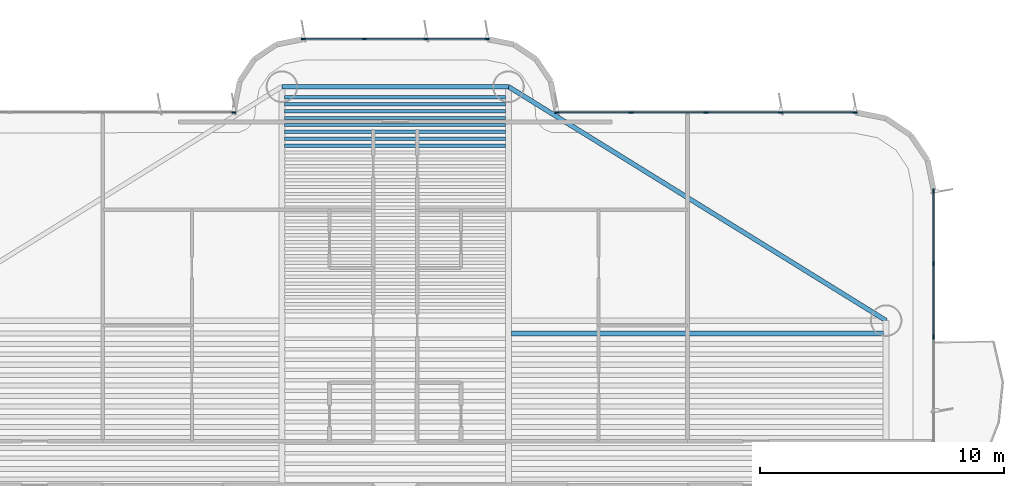
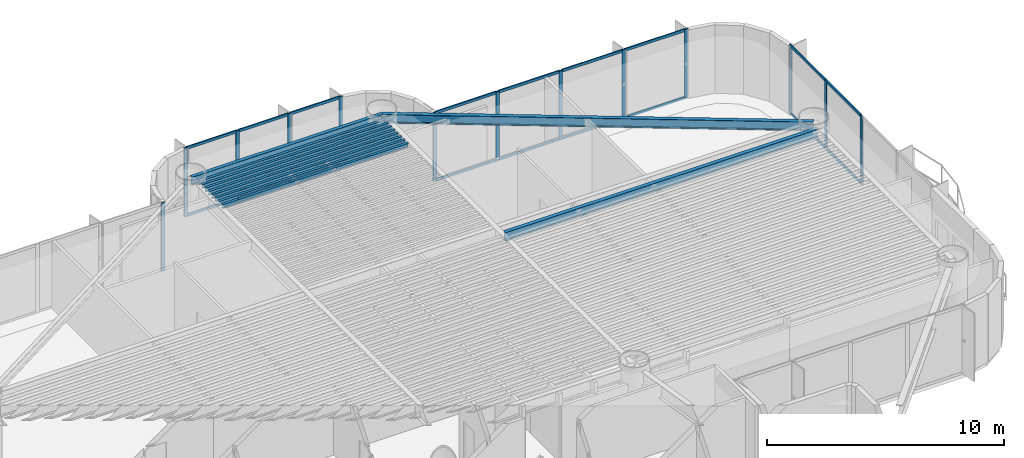
# One storey, part 7 of 17: 31 members, 11 beams, 4 elements without a shape of their own.
"""IFC4 building model written with IfcOpenShell, lengths in metres."""

from ifc_helpers import new_model, si_unit, direction, frame, origin, origin_2d, place, context, subcontext, project, spatial, rectangle, i_section, extrude, source, transform, mapped, material, layer, layer_set, material_profile, profile_set, type_object, element, aggregate, save


model = new_model("IFC4")

# Units and contexts
model_context = context("Model", 3, precision=1e-05, world=origin(), true_north=direction((0.0, 1.0)))
body_context = subcontext(model_context, "Body", "Model", "MODEL_VIEW")
ifc_project = project(units=[si_unit("LENGTHUNIT", "METRE"), si_unit("AREAUNIT", "SQUARE_METRE"), si_unit("VOLUMEUNIT", "CUBIC_METRE"), si_unit("PLANEANGLEUNIT", "RADIAN"), si_unit("MASSUNIT", "GRAM", prefix="KILO")], contexts=[model_context])

# Site, building, storey
site_placement = place(None, origin())
site = spatial("IfcSite", under=ifc_project, at=site_placement, CompositionType="ELEMENT")
building_placement = place(site_placement, origin())
building = spatial("IfcBuilding", under=site, at=building_placement, Name="Brelvock Crest Care Tower", CompositionType="ELEMENT")
storey_placement = place(building_placement, frame((0.0, 0.0, 93.60009765625)))
storey = spatial("IfcBuildingStorey", under=building, at=storey_placement, Name="L23", CompositionType="ELEMENT", Elevation=93.60009765625)

# Beams
ifc_material_1 = material(Name="Steel Grade 350", Category="steel")
ifc_material_profile_1 = material_profile(ifc_material_1, i_section(OverallWidth=0.177978515625, OverallDepth=0.406005859375, WebThickness=0.0078125, FlangeThickness=0.0126953125, FilletRadius=0.011474609375, at=origin_2d()), Name="410UB59.7")
ifc_profile_set_1 = profile_set([ifc_material_profile_1], Name="Steel Grade 350")
beam_type_1 = type_object("IfcBeamType", Name="BM-SP1", PredefinedType="SPANDREL", material=ifc_profile_set_1)
shared_shape_1 = source(origin(), body_context, "Body", "SweptSolid", [
    extrude(i_section(OverallWidth=0.177978515625, OverallDepth=0.406005859375, WebThickness=0.0078125, FlangeThickness=0.0126953125, FilletRadius=0.011474609375, at=origin_2d()), origin(), (0.0, 0.0, 1.0), 9.2998046875),
])
beam_1_placement = place(storey_placement, frame((31.35009765625, 48.449951171875, 3.326904296875), z_axis=(1.0, 0.0, 0.0), x_axis=(0.0, 1.0, 0.0)))
element("IfcBeam", 1, at=beam_1_placement, inside=storey, type_object=beam_type_1, Name="BM-TWR-L23-08", PredefinedType="SPANDREL", context=body_context, shape_type="MappedRepresentation", body=[
    mapped(shared_shape_1, transform((0.0, 0.0, 0.0), x_axis=(1.0, 0.0, 0.0), y_axis=(0.0, 1.0, 0.0), z_axis=(0.0, 0.0, 1.0), scale=1.0)),
])
ifc_material_profile_2 = material_profile(ifc_material_1, i_section(OverallWidth=0.134033203125, OverallDepth=0.20703125, WebThickness=0.00634765625, FlangeThickness=0.009521484375, FilletRadius=0.0087890625, at=origin_2d()), Name="200UB29.8")
ifc_profile_set_2 = profile_set([ifc_material_profile_2], Name="Steel Grade 350")
beam_type_2 = type_object("IfcBeamType", Name="BM-J4", PredefinedType="JOIST", material=ifc_profile_set_2)
shared_shape_2 = source(origin(), body_context, "Body", "SweptSolid", [
    extrude(i_section(OverallWidth=0.134033203125, OverallDepth=0.20703125, WebThickness=0.00634765625, FlangeThickness=0.009521484375, FilletRadius=0.0087890625, at=origin_2d()), origin(), (0.0, 0.0, 1.0), 9.06982421875),
])
for number, where, z_axis, x_axis, name in (
    (2, (31.465087890625, 46.03076171875, 3.426513671875), (1.0, 0.0, 0.0), (0.0, 1.0, 0.0), "BM-JN-L23-25"),
    (3, (31.465087890625, 46.31396484375, 3.426513671875), (1.0, 0.0, 0.0), (0.0, 1.0, 0.0), "BM-JN-L23-26"),
    (4, (31.465087890625, 46.59716796875, 3.426513671875), (1.0, 0.0, 0.0), (0.0, 1.0, 0.0), "BM-JN-L23-27"),
    (5, (31.465087890625, 46.88037109375, 3.426513671875), (1.0, 0.0, 0.0), (0.0, 1.0, 0.0), "BM-JN-L23-28"),
    (6, (31.465087890625, 47.16357421875, 3.426513671875), (1.0, 0.0, 0.0), (0.0, 1.0, 0.0), "BM-JN-L23-29"),
    (7, (31.465087890625, 47.44677734375, 3.426513671875), (1.0, 0.0, 0.0), (0.0, 1.0, 0.0), "BM-JN-L23-30"),
    (8, (31.465087890625, 47.72998046875, 3.426513671875), (1.0, 0.0, 0.0), (0.0, 1.0, 0.0), "BM-JN-L23-31"),
    (9, (31.465087890625, 48.01318359375, 3.426513671875), (1.0, 0.0, 0.0), (0.0, 1.0, 0.0), "BM-JN-L23-32"),
):
    element("IfcBeam", number, at=place(storey_placement, frame(where, z_axis=z_axis, x_axis=x_axis)), inside=storey, type_object=beam_type_2, Name=name, PredefinedType="JOIST", context=body_context, shape_type="MappedRepresentation", body=[
        mapped(shared_shape_2, transform((0.0, 0.0, 0.0), x_axis=(1.0, 0.0, 0.0), y_axis=(0.0, 1.0, 0.0), z_axis=(0.0, 0.0, 1.0), scale=1.0)),
    ])
ifc_material_profile_3 = material_profile(ifc_material_1, i_section(OverallWidth=0.19091796875, OverallDepth=0.4599609375, WebThickness=0.010009765625, FlangeThickness=0.01611328125, FilletRadius=0.011474609375, at=origin_2d()), Name="460UB82.1")
ifc_profile_set_3 = profile_set([ifc_material_profile_3], Name="Steel Grade 350")
beam_type_3 = type_object("IfcBeamType", Name="BM-G3", PredefinedType="BEAM", material=ifc_profile_set_3)
shared_shape_3 = source(origin(), body_context, "Body", "SweptSolid", [
    extrude(i_section(OverallWidth=0.19091796875, OverallDepth=0.4599609375, WebThickness=0.010009765625, FlangeThickness=0.01611328125, FilletRadius=0.011474609375, at=origin_2d()), origin(), (0.0, 0.0, 1.0), 15.27001953125),
])
beam_2_placement = place(storey_placement, frame((40.764892578125, 38.317626953125, 3.2998046875), z_axis=(1.0, 0.0, 0.0), x_axis=(0.0, 1.0, 0.0)))
element("IfcBeam", 10, at=beam_2_placement, inside=storey, type_object=beam_type_3, Name="BM-JE-L23-26", PredefinedType="BEAM", context=body_context, shape_type="MappedRepresentation", body=[
    mapped(shared_shape_3, transform((0.0, 0.0, 0.0), x_axis=(1.0, 0.0, 0.0), y_axis=(0.0, 1.0, 0.0), z_axis=(0.0, 0.0, 1.0), scale=1.0)),
])
ifc_material_profile_4 = material_profile(ifc_material_1, i_section(OverallWidth=0.19091796875, OverallDepth=0.4599609375, WebThickness=0.010009765625, FlangeThickness=0.01611328125, FilletRadius=0.011474609375, at=origin_2d()), Name="460UB82.1")
ifc_profile_set_4 = profile_set([ifc_material_profile_4], Name="Steel Grade 350")
beam_type_4 = type_object("IfcBeamType", Name="BM-SP2", PredefinedType="SPANDREL", material=ifc_profile_set_4)
shared_shape_4 = source(origin(), body_context, "Body", "SweptSolid", [
    extrude(i_section(OverallWidth=0.19091796875, OverallDepth=0.4599609375, WebThickness=0.010009765625, FlangeThickness=0.01611328125, FilletRadius=0.011474609375, at=origin_2d()), origin(), (0.0, 0.0, 1.0), 18.23193359375),
])
beam_3_placement = place(storey_placement, frame((40.64990234375, 48.449951171875, 3.2998046875), z_axis=(0.85015183248, -0.526537616635, 0.0), x_axis=(0.526537616635, 0.85015183248, 0.0)))
element("IfcBeam", 11, at=beam_3_placement, inside=storey, type_object=beam_type_4, Name="BM-TWR-L23-07", PredefinedType="SPANDREL", context=body_context, shape_type="MappedRepresentation", body=[
    mapped(shared_shape_4, transform((0.0, 0.0, 0.0), x_axis=(1.0, 0.0, 0.0), y_axis=(0.0, 1.0, 0.0), z_axis=(0.0, 0.0, 1.0), scale=1.0)),
])

# Curtain wall, members
ifc_material_2 = material(Name="Dark Glass Double Glazed Low-E", Category="glass")
ifc_layer = layer(ifc_material_2, 0.2099609375, Name="CWS-3")
ifc_layer_set = layer_set([ifc_layer], Name="Dark Glass Double Glazed Low-E")
curtain_wall_type = type_object("IfcCurtainWallType", Name="CWS-3", PredefinedType="NOTDEFINED", material=ifc_layer_set)
curtain_wall_1_placement = place(storey_placement, origin())
curtain_wall_1 = element("IfcCurtainWall", 12, at=curtain_wall_1_placement, inside=storey, type_object=curtain_wall_type, Name="L23 Curtain Wall E39A", PredefinedType="NOTDEFINED")
ifc_material_3 = material(Name="Aluminium 6063-T6", Category="aluminium")
ifc_material_profile_5 = material_profile(ifc_material_3, rectangle(XDim=0.06005859375, YDim=0.139892578125, at=origin_2d()), Name="ALU60x140")
ifc_profile_set_5 = profile_set([ifc_material_profile_5], Name="Aluminium 6063-T6")
member_type_1 = type_object("IfcMemberType", Name="CWT-2", PredefinedType="USERDEFINED", material=ifc_profile_set_5)
shared_shape_5 = source(origin(), body_context, "Body", "SweptSolid", [
    extrude(rectangle(XDim=0.06005859375, YDim=0.139892578125, at=origin_2d()), origin(), (0.0, 0.0, 1.0), 2.952392578125),
])
member_1_placement = place(storey_placement, frame((58.10009765625, 41.157470703125, 0.02978515625), z_axis=(0.0, -1.0, 0.0), x_axis=(1.0, 0.0, 0.0)))
member_1 = element("IfcMember", 13, at=member_1_placement, type_object=member_type_1, Name="CW-3 transom 2.1", ObjectType="TRANSOM", PredefinedType="USERDEFINED", context=body_context, shape_type="MappedRepresentation", body=[
    mapped(shared_shape_5, transform((0.0, 0.0, 0.0), x_axis=(1.0, 0.0, 0.0), y_axis=(0.0, 1.0, 0.0), z_axis=(0.0, 0.0, 1.0), scale=1.0)),
])
member_2_placement = place(storey_placement, frame((58.10009765625, 41.157470703125, 3.5), z_axis=(0.0, -1.0, 0.0), x_axis=(1.0, 0.0, 0.0)))
member_2 = element("IfcMember", 14, at=member_2_placement, type_object=member_type_1, Name="CW-3 transom 2.2", ObjectType="TRANSOM", PredefinedType="USERDEFINED", context=body_context, shape_type="MappedRepresentation", body=[
    mapped(shared_shape_5, transform((0.0, 0.0, 0.0), x_axis=(1.0, 0.0, 0.0), y_axis=(0.0, 1.0, 0.0), z_axis=(0.0, 0.0, 1.0), scale=1.0)),
])
shared_shape_6 = source(origin(), body_context, "Body", "SweptSolid", [
    extrude(rectangle(XDim=0.06005859375, YDim=0.139892578125, at=origin_2d()), origin(), (0.0, 0.0, 1.0), 2.92236328125),
])
member_3_placement = place(storey_placement, frame((58.10009765625, 44.139892578125, 0.02978515625), z_axis=(0.0, -1.0, 0.0), x_axis=(1.0, 0.0, 0.0)))
member_3 = element("IfcMember", 15, at=member_3_placement, type_object=member_type_1, Name="CW-3 transom 1.1", ObjectType="TRANSOM", PredefinedType="USERDEFINED", context=body_context, shape_type="MappedRepresentation", body=[
    mapped(shared_shape_6, transform((0.0, 0.0, 0.0), x_axis=(1.0, 0.0, 0.0), y_axis=(0.0, 1.0, 0.0), z_axis=(0.0, 0.0, 1.0), scale=1.0)),
])
member_4_placement = place(storey_placement, frame((58.10009765625, 44.139892578125, 3.5), z_axis=(0.0, -1.0, 0.0), x_axis=(1.0, 0.0, 0.0)))
member_4 = element("IfcMember", 16, at=member_4_placement, type_object=member_type_1, Name="CW-3 transom 1.2", ObjectType="TRANSOM", PredefinedType="USERDEFINED", context=body_context, shape_type="MappedRepresentation", body=[
    mapped(shared_shape_6, transform((0.0, 0.0, 0.0), x_axis=(1.0, 0.0, 0.0), y_axis=(0.0, 1.0, 0.0), z_axis=(0.0, 0.0, 1.0), scale=1.0)),
])

curtain_wall_2_placement = place(storey_placement, origin())
curtain_wall_2 = element("IfcCurtainWall", 17, at=curtain_wall_2_placement, inside=storey, type_object=curtain_wall_type, Name="L23 Curtain Wall E34", PredefinedType="NOTDEFINED")
shared_shape_7 = source(origin(), body_context, "Body", "SweptSolid", [
    extrude(rectangle(XDim=0.06005859375, YDim=0.139892578125, at=origin_2d()), origin(), (0.0, 0.0, 1.0), 2.985107421875),
])
member_5_placement = place(storey_placement, frame((42.659912109375, 47.39990234375, 0.02978515625), z_axis=(1.0, 0.0, 0.0), x_axis=(0.0, 1.0, 0.0)))
member_5 = element("IfcMember", 18, at=member_5_placement, type_object=member_type_1, Name="CW-3 transom 1.1", ObjectType="TRANSOM", PredefinedType="USERDEFINED", context=body_context, shape_type="MappedRepresentation", body=[
    mapped(shared_shape_7, transform((0.0, 0.0, 0.0), x_axis=(1.0, 0.0, 0.0), y_axis=(0.0, 1.0, 0.0), z_axis=(0.0, 0.0, 1.0), scale=1.0)),
])
member_6_placement = place(storey_placement, frame((42.659912109375, 47.39990234375, 3.5), z_axis=(1.0, 0.0, 0.0), x_axis=(0.0, 1.0, 0.0)))
member_6 = element("IfcMember", 19, at=member_6_placement, type_object=member_type_1, Name="CW-3 transom 1.2", ObjectType="TRANSOM", PredefinedType="USERDEFINED", context=body_context, shape_type="MappedRepresentation", body=[
    mapped(shared_shape_7, transform((0.0, 0.0, 0.0), x_axis=(1.0, 0.0, 0.0), y_axis=(0.0, 1.0, 0.0), z_axis=(0.0, 0.0, 1.0), scale=1.0)),
])
member_7_placement = place(storey_placement, frame((51.85498046875, 47.39990234375, 0.02978515625), z_axis=(1.0, 0.0, 0.0), x_axis=(0.0, 1.0, 0.0)))
member_7 = element("IfcMember", 20, at=member_7_placement, type_object=member_type_1, Name="CW-3 transom 4.1", ObjectType="TRANSOM", PredefinedType="USERDEFINED", context=body_context, shape_type="MappedRepresentation", body=[
    mapped(shared_shape_7, transform((0.0, 0.0, 0.0), x_axis=(1.0, 0.0, 0.0), y_axis=(0.0, 1.0, 0.0), z_axis=(0.0, 0.0, 1.0), scale=1.0)),
])
member_8_placement = place(storey_placement, frame((51.85498046875, 47.39990234375, 3.5), z_axis=(1.0, 0.0, 0.0), x_axis=(0.0, 1.0, 0.0)))
member_8 = element("IfcMember", 21, at=member_8_placement, type_object=member_type_1, Name="CW-3 transom 4.2", ObjectType="TRANSOM", PredefinedType="USERDEFINED", context=body_context, shape_type="MappedRepresentation", body=[
    mapped(shared_shape_7, transform((0.0, 0.0, 0.0), x_axis=(1.0, 0.0, 0.0), y_axis=(0.0, 1.0, 0.0), z_axis=(0.0, 0.0, 1.0), scale=1.0)),
])
shared_shape_8 = source(origin(), body_context, "Body", "SweptSolid", [
    extrude(rectangle(XDim=0.06005859375, YDim=0.139892578125, at=origin_2d()), origin(), (0.0, 0.0, 1.0), 3.014892578125),
])
member_9_placement = place(storey_placement, frame((45.705078125, 47.39990234375, 0.02978515625), z_axis=(1.0, 0.0, 0.0), x_axis=(0.0, 1.0, 0.0)))
member_9 = element("IfcMember", 22, at=member_9_placement, type_object=member_type_1, Name="CW-3 transom 2.1", ObjectType="TRANSOM", PredefinedType="USERDEFINED", context=body_context, shape_type="MappedRepresentation", body=[
    mapped(shared_shape_8, transform((0.0, 0.0, 0.0), x_axis=(1.0, 0.0, 0.0), y_axis=(0.0, 1.0, 0.0), z_axis=(0.0, 0.0, 1.0), scale=1.0)),
])
member_10_placement = place(storey_placement, frame((45.705078125, 47.39990234375, 3.5), z_axis=(1.0, 0.0, 0.0), x_axis=(0.0, 1.0, 0.0)))
member_10 = element("IfcMember", 23, at=member_10_placement, type_object=member_type_1, Name="CW-3 transom 2.2", ObjectType="TRANSOM", PredefinedType="USERDEFINED", context=body_context, shape_type="MappedRepresentation", body=[
    mapped(shared_shape_8, transform((0.0, 0.0, 0.0), x_axis=(1.0, 0.0, 0.0), y_axis=(0.0, 1.0, 0.0), z_axis=(0.0, 0.0, 1.0), scale=1.0)),
])
member_11_placement = place(storey_placement, frame((48.780029296875, 47.39990234375, 0.02978515625), z_axis=(1.0, 0.0, 0.0), x_axis=(0.0, 1.0, 0.0)))
member_11 = element("IfcMember", 24, at=member_11_placement, type_object=member_type_1, Name="CW-3 transom 3.1", ObjectType="TRANSOM", PredefinedType="USERDEFINED", context=body_context, shape_type="MappedRepresentation", body=[
    mapped(shared_shape_8, transform((0.0, 0.0, 0.0), x_axis=(1.0, 0.0, 0.0), y_axis=(0.0, 1.0, 0.0), z_axis=(0.0, 0.0, 1.0), scale=1.0)),
])
member_12_placement = place(storey_placement, frame((48.780029296875, 47.39990234375, 3.5), z_axis=(1.0, 0.0, 0.0), x_axis=(0.0, 1.0, 0.0)))
member_12 = element("IfcMember", 25, at=member_12_placement, type_object=member_type_1, Name="CW-3 transom 3.2", ObjectType="TRANSOM", PredefinedType="USERDEFINED", context=body_context, shape_type="MappedRepresentation", body=[
    mapped(shared_shape_8, transform((0.0, 0.0, 0.0), x_axis=(1.0, 0.0, 0.0), y_axis=(0.0, 1.0, 0.0), z_axis=(0.0, 0.0, 1.0), scale=1.0)),
])

curtain_wall_3_placement = place(storey_placement, origin())
curtain_wall_3 = element("IfcCurtainWall", 26, at=curtain_wall_3_placement, inside=storey, type_object=curtain_wall_type, Name="L23 Curtain Wall E28", PredefinedType="NOTDEFINED")
shared_shape_9 = source(origin(), body_context, "Body", "SweptSolid", [
    extrude(rectangle(XDim=0.06005859375, YDim=0.139892578125, at=origin_2d()), origin(), (0.0, 0.0, 1.0), 2.443359375),
])
member_13_placement = place(storey_placement, frame((32.260009765625, 50.39990234375, 0.02978515625), z_axis=(1.0, 0.0, 0.0), x_axis=(0.0, 1.0, 0.0)))
member_13 = element("IfcMember", 27, at=member_13_placement, type_object=member_type_1, Name="CW-3 transom 1.1", ObjectType="TRANSOM", PredefinedType="USERDEFINED", context=body_context, shape_type="MappedRepresentation", body=[
    mapped(shared_shape_9, transform((0.0, 0.0, 0.0), x_axis=(1.0, 0.0, 0.0), y_axis=(0.0, 1.0, 0.0), z_axis=(0.0, 0.0, 1.0), scale=1.0)),
])
member_14_placement = place(storey_placement, frame((32.260009765625, 50.39990234375, 3.5), z_axis=(1.0, 0.0, 0.0), x_axis=(0.0, 1.0, 0.0)))
member_14 = element("IfcMember", 28, at=member_14_placement, type_object=member_type_1, Name="CW-3 transom 1.2", ObjectType="TRANSOM", PredefinedType="USERDEFINED", context=body_context, shape_type="MappedRepresentation", body=[
    mapped(shared_shape_9, transform((0.0, 0.0, 0.0), x_axis=(1.0, 0.0, 0.0), y_axis=(0.0, 1.0, 0.0), z_axis=(0.0, 0.0, 1.0), scale=1.0)),
])
member_15_placement = place(storey_placement, frame((37.296630859375, 50.39990234375, 0.02978515625), z_axis=(1.0, 0.0, 0.0), x_axis=(0.0, 1.0, 0.0)))
member_15 = element("IfcMember", 29, at=member_15_placement, type_object=member_type_1, Name="CW-3 transom 3.1", ObjectType="TRANSOM", PredefinedType="USERDEFINED", context=body_context, shape_type="MappedRepresentation", body=[
    mapped(shared_shape_9, transform((0.0, 0.0, 0.0), x_axis=(1.0, 0.0, 0.0), y_axis=(0.0, 1.0, 0.0), z_axis=(0.0, 0.0, 1.0), scale=1.0)),
])
member_16_placement = place(storey_placement, frame((37.296630859375, 50.39990234375, 3.5), z_axis=(1.0, 0.0, 0.0), x_axis=(0.0, 1.0, 0.0)))
member_16 = element("IfcMember", 30, at=member_16_placement, type_object=member_type_1, Name="CW-3 transom 3.2", ObjectType="TRANSOM", PredefinedType="USERDEFINED", context=body_context, shape_type="MappedRepresentation", body=[
    mapped(shared_shape_9, transform((0.0, 0.0, 0.0), x_axis=(1.0, 0.0, 0.0), y_axis=(0.0, 1.0, 0.0), z_axis=(0.0, 0.0, 1.0), scale=1.0)),
])
shared_shape_10 = source(origin(), body_context, "Body", "SweptSolid", [
    extrude(rectangle(XDim=0.06005859375, YDim=0.139892578125, at=origin_2d()), origin(), (0.0, 0.0, 1.0), 2.47314453125),
])
member_17_placement = place(storey_placement, frame((34.763427734375, 50.39990234375, 0.02978515625), z_axis=(1.0, 0.0, 0.0), x_axis=(0.0, 1.0, 0.0)))
member_17 = element("IfcMember", 31, at=member_17_placement, type_object=member_type_1, Name="CW-3 transom 2.1", ObjectType="TRANSOM", PredefinedType="USERDEFINED", context=body_context, shape_type="MappedRepresentation", body=[
    mapped(shared_shape_10, transform((0.0, 0.0, 0.0), x_axis=(1.0, 0.0, 0.0), y_axis=(0.0, 1.0, 0.0), z_axis=(0.0, 0.0, 1.0), scale=1.0)),
])
member_18_placement = place(storey_placement, frame((34.763427734375, 50.39990234375, 3.5), z_axis=(1.0, 0.0, 0.0), x_axis=(0.0, 1.0, 0.0)))
member_18 = element("IfcMember", 32, at=member_18_placement, type_object=member_type_1, Name="CW-3 transom 2.2", ObjectType="TRANSOM", PredefinedType="USERDEFINED", context=body_context, shape_type="MappedRepresentation", body=[
    mapped(shared_shape_10, transform((0.0, 0.0, 0.0), x_axis=(1.0, 0.0, 0.0), y_axis=(0.0, 1.0, 0.0), z_axis=(0.0, 0.0, 1.0), scale=1.0)),
])

# Curtain wall, member
curtain_wall_4_placement = place(storey_placement, origin())
curtain_wall_4 = element("IfcCurtainWall", 33, at=curtain_wall_4_placement, inside=storey, type_object=curtain_wall_type, Name="L23 Curtain Wall E22", PredefinedType="NOTDEFINED")
ifc_material_profile_6 = material_profile(ifc_material_3, rectangle(XDim=0.06005859375, YDim=0.179931640625, at=origin_2d()), Name="ALU60x180")
ifc_profile_set_6 = profile_set([ifc_material_profile_6], Name="Aluminium 6063-T6")
member_type_2 = type_object("IfcMemberType", Name="CWM-2", PredefinedType="MULLION", material=ifc_profile_set_6)
shared_shape_11 = source(origin(), body_context, "Body", "SweptSolid", [
    extrude(rectangle(XDim=0.06005859375, YDim=0.179931640625, at=origin_2d()), origin(), (0.0, 0.0, 1.0), 3.52978515625),
])
member_19_placement = place(storey_placement, frame((29.3701171875, 47.39990234375, 0.0), z_axis=(0.0, 0.0, 1.0), x_axis=(0.0, 1.0, 0.0)))
member_19 = element("IfcMember", 34, at=member_19_placement, type_object=member_type_2, Name="CW-3 mullion 5", PredefinedType="MULLION", context=body_context, shape_type="MappedRepresentation", body=[
    mapped(shared_shape_11, transform((0.0, 0.0, 0.0), x_axis=(1.0, 0.0, 0.0), y_axis=(0.0, 1.0, 0.0), z_axis=(0.0, 0.0, 1.0), scale=1.0)),
])
aggregate(curtain_wall_4, [member_19])

# Member
member_20_placement = place(storey_placement, frame((32.22998046875, 50.39990234375, 0.0), z_axis=(0.0, 0.0, 1.0), x_axis=(0.0, 1.0, 0.0)))
member_20 = element("IfcMember", 35, at=member_20_placement, type_object=member_type_2, Name="CW-3 mullion 1", PredefinedType="MULLION", context=body_context, shape_type="MappedRepresentation", body=[
    mapped(shared_shape_11, transform((0.0, 0.0, 0.0), x_axis=(1.0, 0.0, 0.0), y_axis=(0.0, 1.0, 0.0), z_axis=(0.0, 0.0, 1.0), scale=1.0)),
])

member_21_placement = place(storey_placement, frame((34.7333984375, 50.39990234375, 0.0), z_axis=(0.0, 0.0, 1.0), x_axis=(0.0, 1.0, 0.0)))
member_21 = element("IfcMember", 36, at=member_21_placement, type_object=member_type_2, Name="CW-3 mullion 2", PredefinedType="MULLION", context=body_context, shape_type="MappedRepresentation", body=[
    mapped(shared_shape_11, transform((0.0, 0.0, 0.0), x_axis=(1.0, 0.0, 0.0), y_axis=(0.0, 1.0, 0.0), z_axis=(0.0, 0.0, 1.0), scale=1.0)),
])

member_22_placement = place(storey_placement, frame((37.2666015625, 50.39990234375, 0.0), z_axis=(0.0, 0.0, 1.0), x_axis=(0.0, 1.0, 0.0)))
member_22 = element("IfcMember", 37, at=member_22_placement, type_object=member_type_2, Name="CW-3 mullion 3", PredefinedType="MULLION", context=body_context, shape_type="MappedRepresentation", body=[
    mapped(shared_shape_11, transform((0.0, 0.0, 0.0), x_axis=(1.0, 0.0, 0.0), y_axis=(0.0, 1.0, 0.0), z_axis=(0.0, 0.0, 1.0), scale=1.0)),
])

member_23_placement = place(storey_placement, frame((39.77001953125, 50.39990234375, 0.0), z_axis=(0.0, 0.0, 1.0), x_axis=(0.0, 1.0, 0.0)))
member_23 = element("IfcMember", 38, at=member_23_placement, type_object=member_type_2, Name="CW-3 mullion 4", PredefinedType="MULLION", context=body_context, shape_type="MappedRepresentation", body=[
    mapped(shared_shape_11, transform((0.0, 0.0, 0.0), x_axis=(1.0, 0.0, 0.0), y_axis=(0.0, 1.0, 0.0), z_axis=(0.0, 0.0, 1.0), scale=1.0)),
])

aggregate(curtain_wall_3, [member_20, member_21, member_22, member_23, member_13, member_14, member_17, member_18, member_15, member_16])

member_24_placement = place(storey_placement, frame((42.6298828125, 47.39990234375, 0.0), z_axis=(0.0, 0.0, 1.0), x_axis=(0.0, 1.0, 0.0)))
member_24 = element("IfcMember", 39, at=member_24_placement, type_object=member_type_2, Name="CW-3 mullion 1", PredefinedType="MULLION", context=body_context, shape_type="MappedRepresentation", body=[
    mapped(shared_shape_11, transform((0.0, 0.0, 0.0), x_axis=(1.0, 0.0, 0.0), y_axis=(0.0, 1.0, 0.0), z_axis=(0.0, 0.0, 1.0), scale=1.0)),
])

member_25_placement = place(storey_placement, frame((45.675048828125, 47.39990234375, 0.0), z_axis=(0.0, 0.0, 1.0), x_axis=(0.0, 1.0, 0.0)))
member_25 = element("IfcMember", 40, at=member_25_placement, type_object=member_type_2, Name="CW-3 mullion 2", PredefinedType="MULLION", context=body_context, shape_type="MappedRepresentation", body=[
    mapped(shared_shape_11, transform((0.0, 0.0, 0.0), x_axis=(1.0, 0.0, 0.0), y_axis=(0.0, 1.0, 0.0), z_axis=(0.0, 0.0, 1.0), scale=1.0)),
])

member_26_placement = place(storey_placement, frame((48.75, 47.39990234375, 0.0), z_axis=(0.0, 0.0, 1.0), x_axis=(0.0, 1.0, 0.0)))
member_26 = element("IfcMember", 41, at=member_26_placement, type_object=member_type_2, Name="CW-3 mullion 3", PredefinedType="MULLION", context=body_context, shape_type="MappedRepresentation", body=[
    mapped(shared_shape_11, transform((0.0, 0.0, 0.0), x_axis=(1.0, 0.0, 0.0), y_axis=(0.0, 1.0, 0.0), z_axis=(0.0, 0.0, 1.0), scale=1.0)),
])

member_27_placement = place(storey_placement, frame((51.824951171875, 47.39990234375, 0.0), z_axis=(0.0, 0.0, 1.0), x_axis=(0.0, 1.0, 0.0)))
member_27 = element("IfcMember", 42, at=member_27_placement, type_object=member_type_2, Name="CW-3 mullion 4", PredefinedType="MULLION", context=body_context, shape_type="MappedRepresentation", body=[
    mapped(shared_shape_11, transform((0.0, 0.0, 0.0), x_axis=(1.0, 0.0, 0.0), y_axis=(0.0, 1.0, 0.0), z_axis=(0.0, 0.0, 1.0), scale=1.0)),
])

member_28_placement = place(storey_placement, frame((54.8701171875, 47.39990234375, 0.0), z_axis=(0.0, 0.0, 1.0), x_axis=(0.0, 1.0, 0.0)))
member_28 = element("IfcMember", 43, at=member_28_placement, type_object=member_type_2, Name="CW-3 mullion 5", PredefinedType="MULLION", context=body_context, shape_type="MappedRepresentation", body=[
    mapped(shared_shape_11, transform((0.0, 0.0, 0.0), x_axis=(1.0, 0.0, 0.0), y_axis=(0.0, 1.0, 0.0), z_axis=(0.0, 0.0, 1.0), scale=1.0)),
])

aggregate(curtain_wall_2, [member_24, member_25, member_26, member_27, member_28, member_5, member_6, member_9, member_10, member_11, member_12, member_7, member_8])

member_29_placement = place(storey_placement, frame((58.10009765625, 44.169921875, 0.0), z_axis=(0.0, 0.0, 1.0), x_axis=(1.0, 0.0, 0.0)))
member_29 = element("IfcMember", 44, at=member_29_placement, type_object=member_type_2, Name="CW-3 mullion 1", PredefinedType="MULLION", context=body_context, shape_type="MappedRepresentation", body=[
    mapped(shared_shape_11, transform((0.0, 0.0, 0.0), x_axis=(1.0, 0.0, 0.0), y_axis=(0.0, 1.0, 0.0), z_axis=(0.0, 0.0, 1.0), scale=1.0)),
])

member_30_placement = place(storey_placement, frame((58.10009765625, 41.1875, 0.0), z_axis=(0.0, 0.0, 1.0), x_axis=(1.0, 0.0, 0.0)))
member_30 = element("IfcMember", 45, at=member_30_placement, type_object=member_type_2, Name="CW-3 mullion 2", PredefinedType="MULLION", context=body_context, shape_type="MappedRepresentation", body=[
    mapped(shared_shape_11, transform((0.0, 0.0, 0.0), x_axis=(1.0, 0.0, 0.0), y_axis=(0.0, 1.0, 0.0), z_axis=(0.0, 0.0, 1.0), scale=1.0)),
])

member_31_placement = place(storey_placement, frame((58.10009765625, 38.175048828125, 0.0), z_axis=(0.0, 0.0, 1.0), x_axis=(1.0, 0.0, 0.0)))
member_31 = element("IfcMember", 46, at=member_31_placement, type_object=member_type_2, Name="CW-3 mullion 3", PredefinedType="MULLION", context=body_context, shape_type="MappedRepresentation", body=[
    mapped(shared_shape_11, transform((0.0, 0.0, 0.0), x_axis=(1.0, 0.0, 0.0), y_axis=(0.0, 1.0, 0.0), z_axis=(0.0, 0.0, 1.0), scale=1.0)),
])

aggregate(curtain_wall_1, [member_29, member_30, member_31, member_3, member_4, member_1, member_2])

save(model, "model.ifc")
